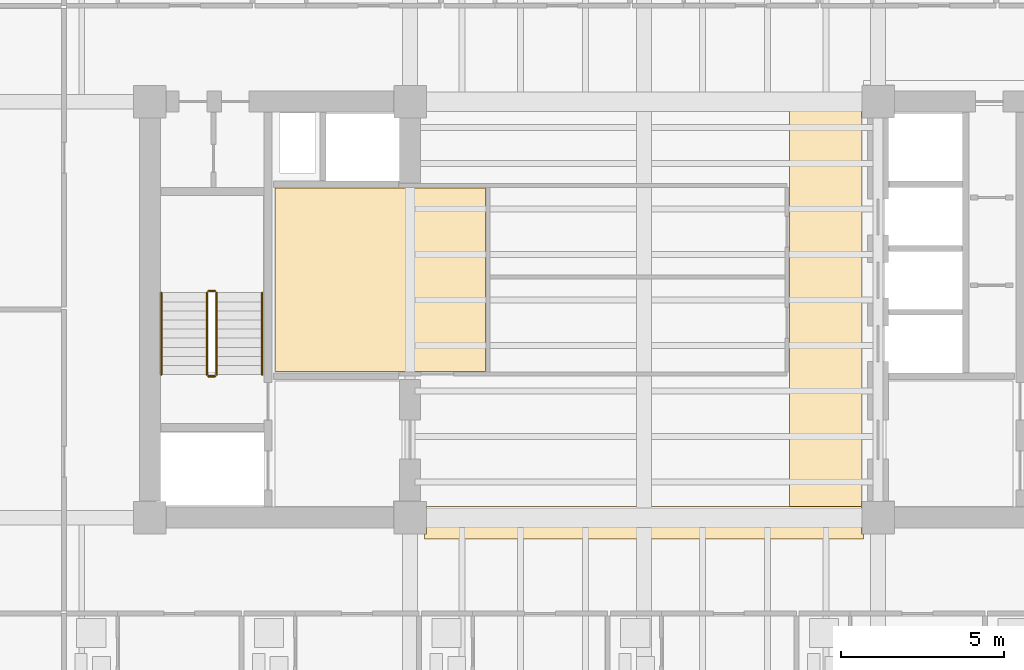
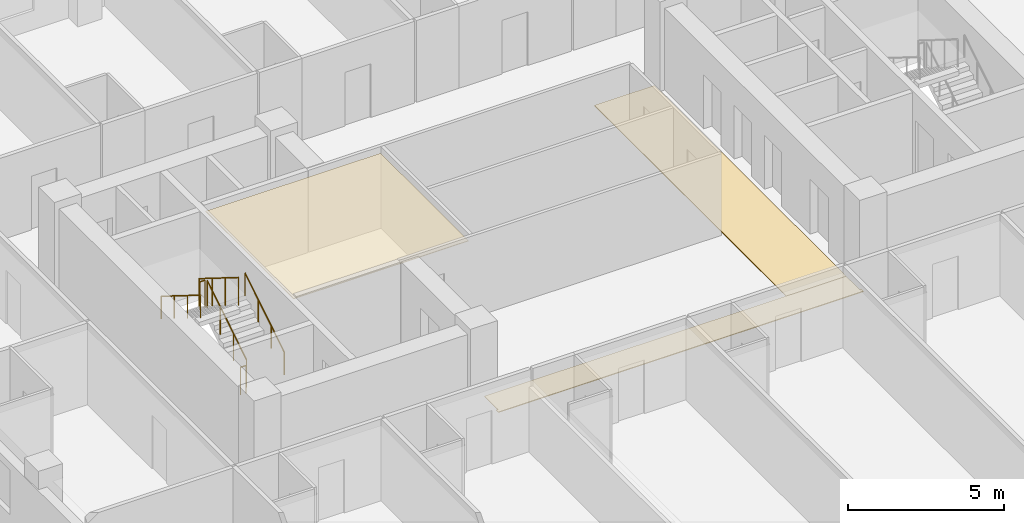
# One storey, part 8 of 11: 6 railings, 3 coverings.
"""IFC4 building model written with IfcOpenShell, lengths in metres."""

from ifc_helpers import new_model, si_unit, direction, frame, origin, origin_2d, place, context, subcontext, project, spatial, polyline, circle, outline, extrude, material, layer, layer_set, type_object, element, save


model = new_model("IFC4")

# Units and contexts
model_context = context("Model", 3, precision=1e-05, world=origin(), true_north=direction((0.0, 1.0)))
body_context = subcontext(model_context, "Body", "Model", "MODEL_VIEW")
ifc_project = project(units=[si_unit("LENGTHUNIT", "METRE"), si_unit("AREAUNIT", "SQUARE_METRE"), si_unit("VOLUMEUNIT", "CUBIC_METRE"), si_unit("PLANEANGLEUNIT", "RADIAN"), si_unit("MASSUNIT", "GRAM", prefix="KILO")], contexts=[model_context])

# Site, building, storey
site_placement = place(None, origin())
site = spatial("IfcSite", under=ifc_project, at=site_placement, CompositionType="ELEMENT")
building_placement = place(site_placement, origin())
building = spatial("IfcBuilding", under=site, at=building_placement, Name="Kranthara Brick Stack", CompositionType="ELEMENT")
storey_placement = place(building_placement, frame((0.0, 0.0, 130.800048828125)))
storey = spatial("IfcBuildingStorey", under=building, at=storey_placement, Name="L32", CompositionType="ELEMENT", Elevation=130.800048828125)

# Coverings
ifc_material_1 = material(Name="Perforated mineral-fibre acoustic ceiling tile", Category="other")
ifc_layer_1 = layer(ifc_material_1, 0.02490234375)
ifc_layer_set_1 = layer_set([ifc_layer_1], Name="Perforated mineral-fibre acoustic ceiling tile")
covering_type_1 = type_object("IfcCoveringType", Name="COV-CEIL-ACOUSTIC", PredefinedType="CEILING", material=ifc_layer_set_1)
covering_1_placement = place(storey_placement, frame((0.0, 0.0, 2.929931640625)))
element("IfcCovering", 1, at=covering_1_placement, inside=storey, type_object=covering_type_1, Name="L32 L32 Hotel Business Study Acoustic Ceiling", PredefinedType="CEILING", context=body_context, shape_type="SweptSolid", body=[
    extrude(outline(polyline([(23.1201171875, 25.300048828125), (23.1201171875, 30.93994140625), (16.64990234375, 30.93994140625), (16.64990234375, 25.300048828125), (23.1201171875, 25.300048828125)])), origin(), (0.0, 0.0, 1.0), 0.02490234375),
])
ifc_material_2 = material(Name="Honed terrazzo and porcelain floor finish", Category="stone")
ifc_layer_2 = layer(ifc_material_2, 0.030029296875)
ifc_layer_set_2 = layer_set([ifc_layer_2], Name="Honed terrazzo and porcelain floor finish")
covering_type_2 = type_object("IfcCoveringType", Name="COV-FLOR-STONE", PredefinedType="FLOORING", material=ifc_layer_set_2)
covering_2_placement = place(storey_placement, origin())
element("IfcCovering", 2, at=covering_2_placement, inside=storey, type_object=covering_type_2, Name="L32 Lift Lobby Stone Flooring", PredefinedType="FLOORING", context=body_context, shape_type="SweptSolid", body=[
    extrude(outline(polyline([(32.47998046875, 33.449951171875), (34.68994140625, 33.449951171875), (34.68994140625, 33.090087890625), (34.699951171875, 33.090087890625), (34.699951171875, 21.31005859375), (34.68994140625, 21.31005859375), (34.68994140625, 21.14990234375), (32.47998046875, 21.14990234375), (32.47998046875, 33.449951171875)])), origin(), (0.0, 0.0, 1.0), 0.030029296875),
])
covering_3_placement = place(storey_placement, origin())
element("IfcCovering", 3, at=covering_3_placement, inside=storey, type_object=covering_type_2, Name="L32 Lift Lobby Stone Flooring", PredefinedType="FLOORING", context=body_context, shape_type="SweptSolid", body=[
    extrude(outline(polyline([(21.25, 20.2900390625), (21.31005859375, 20.2900390625), (21.31005859375, 21.14990234375), (32.47998046875, 21.14990234375), (34.68994140625, 21.14990234375), (34.68994140625, 20.2900390625), (34.75, 20.2900390625), (34.75, 20.14990234375), (21.25, 20.14990234375), (21.25, 20.2900390625)])), origin(), (0.0, 0.0, 1.0), 0.030029296875),
])

# Railings
ifc_material_3 = material(Name="Painted galvanized steel stair guardrail", Category="steel")
railing_type_1 = type_object("IfcRailingType", Name="RL-STAIR-GUARD-1100", PredefinedType="GUARDRAIL", material=ifc_material_3)
railing_1_placement = place(storey_placement, frame((14.85009765625, 25.199951171875, 0.175048828125)))
element("IfcRailing", 4, at=railing_1_placement, inside=storey, type_object=railing_type_1, Name="L32 ST01 stair guard 1", PredefinedType="GUARDRAIL", context=body_context, shape_type="SweptSolid", body=[
    extrude(circle(Radius=0.02392578125, at=origin_2d()), frame((0.0, 0.0, 1.076171875), z_axis=(0.0, 0.848007534815, 0.529984170421), x_axis=(-1.0, 0.0, 0.0)), (0.0, 0.0, 1.0), 2.9716796875),
    extrude(circle(Radius=0.02099609375, at=origin_2d()), origin(), (0.0, 0.0, 1.0), 1.052001953125),
    extrude(circle(Radius=0.02099609375, at=origin_2d()), frame((0.0, 0.840087890625, 0.52490234375)), (0.0, 0.0, 1.0), 1.052001953125),
    extrude(circle(Radius=0.02099609375, at=origin_2d()), frame((0.0, 1.679931640625, 1.050048828125)), (0.0, 0.0, 1.0), 1.052001953125),
    extrude(circle(Radius=0.02099609375, at=origin_2d()), frame((0.0, 2.52001953125, 1.574951171875)), (0.0, 0.0, 1.0), 1.052001953125),
])
railing_2_placement = place(storey_placement, frame((14.800048828125, 27.77001953125, 1.75)))
element("IfcRailing", 5, at=railing_2_placement, inside=storey, type_object=railing_type_1, Name="L32 ST01 stair guard 2", PredefinedType="GUARDRAIL", context=body_context, shape_type="SweptSolid", body=[
    extrude(circle(Radius=0.02392578125, at=origin_2d()), frame((0.0, 0.0, 1.076171875), z_axis=(-1.0, 0.0, 0.0), x_axis=(0.0, -1.0, 0.0)), (0.0, 0.0, 1.0), 0.199951171875),
    extrude(circle(Radius=0.02099609375, at=origin_2d()), origin(), (0.0, 0.0, 1.0), 1.052001953125),
    extrude(circle(Radius=0.02099609375, at=origin_2d()), frame((-0.199951171875, 0.0, 0.0)), (0.0, 0.0, 1.0), 1.052001953125),
])
railing_3_placement = place(storey_placement, frame((14.550048828125, 27.719970703125, 1.925048828125)))
element("IfcRailing", 6, at=railing_3_placement, inside=storey, type_object=railing_type_1, Name="L32 ST01 stair guard 3", PredefinedType="GUARDRAIL", context=body_context, shape_type="SweptSolid", body=[
    extrude(circle(Radius=0.02392578125, at=origin_2d()), frame((0.0, 0.0, 1.076171875), z_axis=(0.0, -0.848007534815, 0.529984170421), x_axis=(1.0, 0.0, 0.0)), (0.0, 0.0, 1.0), 2.9716796875),
    extrude(circle(Radius=0.02099609375, at=origin_2d()), origin(), (0.0, 0.0, 1.0), 1.052001953125),
    extrude(circle(Radius=0.02099609375, at=origin_2d()), frame((0.0, -0.840087890625, 0.52490234375)), (0.0, 0.0, 1.0), 1.052001953125),
    extrude(circle(Radius=0.02099609375, at=origin_2d()), frame((0.0, -1.679931640625, 1.050048828125)), (0.0, 0.0, 1.0), 1.052001953125),
    extrude(circle(Radius=0.02099609375, at=origin_2d()), frame((0.0, -2.52001953125, 1.574951171875)), (0.0, 0.0, 1.0), 1.052001953125),
])
railing_4_placement = place(storey_placement, frame((14.800048828125, 25.14990234375, 0.0)))
element("IfcRailing", 7, at=railing_4_placement, inside=storey, type_object=railing_type_1, Name="L32 ST01 stair guard 4", PredefinedType="GUARDRAIL", context=body_context, shape_type="SweptSolid", body=[
    extrude(circle(Radius=0.02392578125, at=origin_2d()), frame((0.0, 0.0, 1.076171875), z_axis=(-1.0, 0.0, 0.0), x_axis=(0.0, -1.0, 0.0)), (0.0, 0.0, 1.0), 0.199951171875),
    extrude(circle(Radius=0.02099609375, at=origin_2d()), origin(), (0.0, 0.0, 1.0), 1.052001953125),
    extrude(circle(Radius=0.02099609375, at=origin_2d()), frame((-0.199951171875, 0.0, 0.0)), (0.0, 0.0, 1.0), 1.052001953125),
])
ifc_material_4 = material(Name="Brushed stainless steel tubular handrail", Category="steel")
railing_type_2 = type_object("IfcRailingType", Name="RL-STAIR-HAND-900", PredefinedType="HANDRAIL", material=ifc_material_4)
railing_5_placement = place(storey_placement, frame((16.25, 25.199951171875, 0.175048828125)))
element("IfcRailing", 8, at=railing_5_placement, inside=storey, type_object=railing_type_2, Name="L32 ST01 stair handrail 1", PredefinedType="HANDRAIL", context=body_context, shape_type="SweptSolid", body=[
    extrude(circle(Radius=0.02392578125, at=origin_2d()), frame((0.0, 0.0, 0.8759765625), z_axis=(0.0, 0.848007534815, 0.529984170421), x_axis=(-1.0, 0.0, 0.0)), (0.0, 0.0, 1.0), 2.9716796875),
    extrude(circle(Radius=0.02099609375, at=origin_2d()), origin(), (0.0, 0.0, 1.0), 0.851806640625),
    extrude(circle(Radius=0.02099609375, at=origin_2d()), frame((0.0, 0.840087890625, 0.52490234375)), (0.0, 0.0, 1.0), 0.851806640625),
    extrude(circle(Radius=0.02099609375, at=origin_2d()), frame((0.0, 1.679931640625, 1.050048828125)), (0.0, 0.0, 1.0), 0.851806640625),
    extrude(circle(Radius=0.02099609375, at=origin_2d()), frame((0.0, 2.52001953125, 1.574951171875)), (0.0, 0.0, 1.0), 0.851806640625),
])
railing_6_placement = place(storey_placement, frame((13.14990234375, 27.719970703125, 1.925048828125)))
element("IfcRailing", 9, at=railing_6_placement, inside=storey, type_object=railing_type_2, Name="L32 ST01 stair handrail 2", PredefinedType="HANDRAIL", context=body_context, shape_type="SweptSolid", body=[
    extrude(circle(Radius=0.02392578125, at=origin_2d()), frame((0.0, 0.0, 0.8759765625), z_axis=(0.0, -0.848007534815, 0.529984170421), x_axis=(1.0, 0.0, 0.0)), (0.0, 0.0, 1.0), 2.9716796875),
    extrude(circle(Radius=0.02099609375, at=origin_2d()), origin(), (0.0, 0.0, 1.0), 0.851806640625),
    extrude(circle(Radius=0.02099609375, at=origin_2d()), frame((0.0, -0.840087890625, 0.52490234375)), (0.0, 0.0, 1.0), 0.851806640625),
    extrude(circle(Radius=0.02099609375, at=origin_2d()), frame((0.0, -1.679931640625, 1.050048828125)), (0.0, 0.0, 1.0), 0.851806640625),
    extrude(circle(Radius=0.02099609375, at=origin_2d()), frame((0.0, -2.52001953125, 1.574951171875)), (0.0, 0.0, 1.0), 0.851806640625),
])

save(model, "model.ifc")
